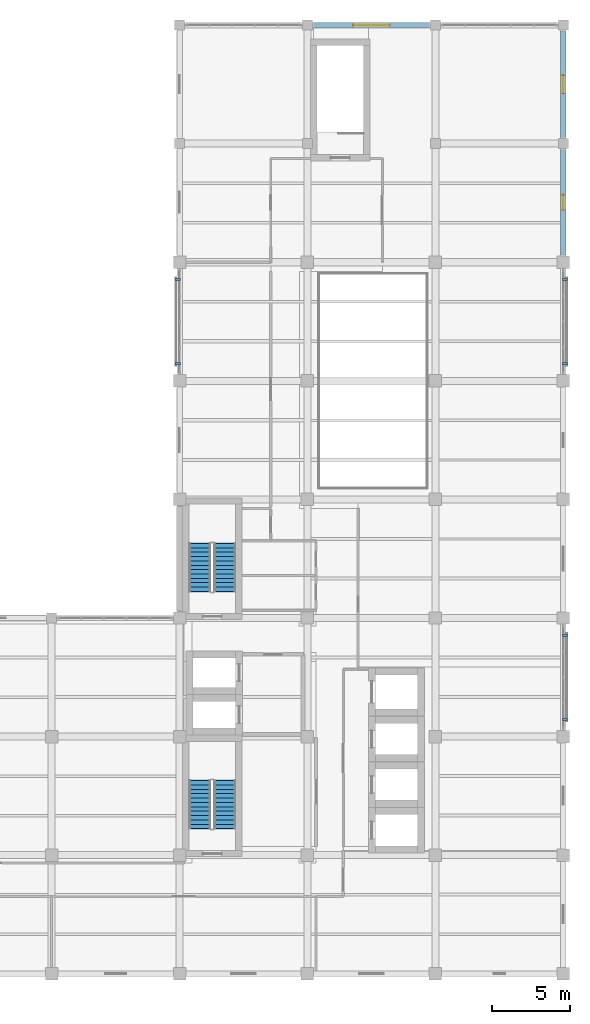
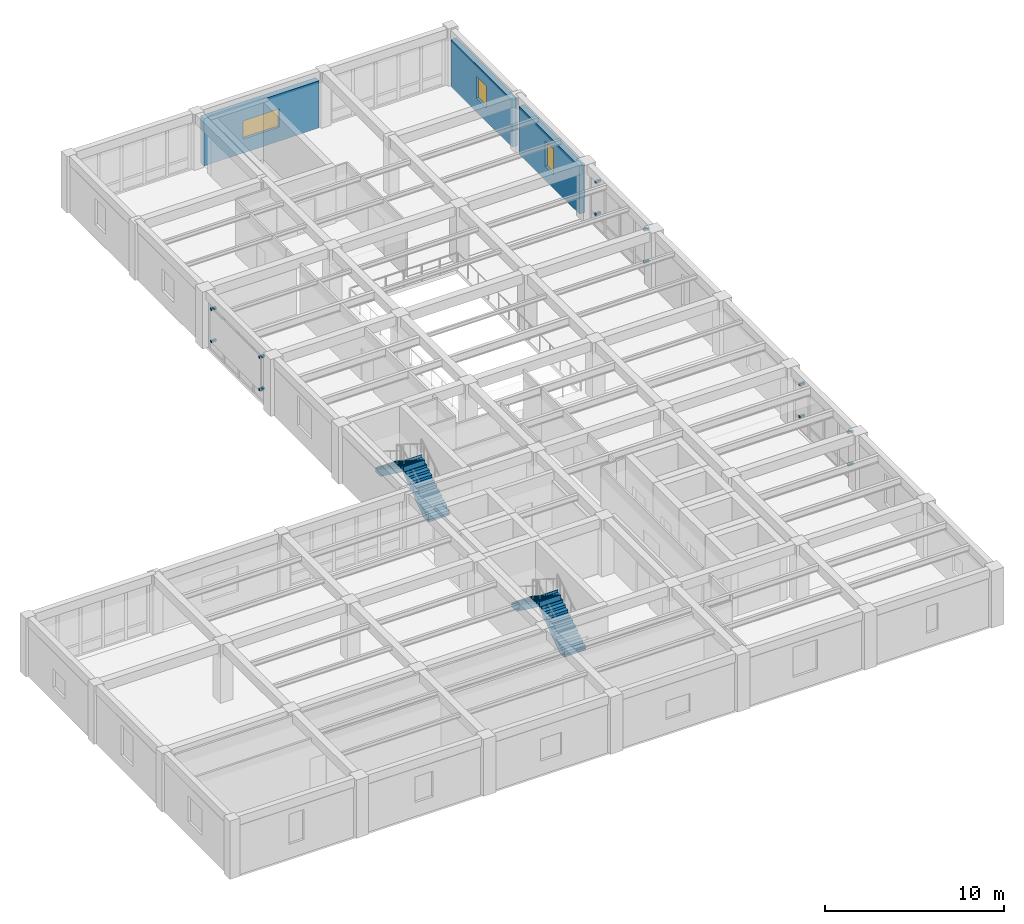
# One storey, part 10 of 15: 12 discrete accessories, 4 stair flights, 3 walls, 3 windows, 3 openings, 2 elements without a shape of their own.
"""IFC4 building model written with IfcOpenShell, lengths in metres."""

from ifc_helpers import new_model, si_unit, direction, frame, frame_2d, origin, origin_2d, place, context, subcontext, project, spatial, polyline, rectangle, outline, extrude, material, layer, layer_set, type_object, element, fill, aggregate, save


model = new_model("IFC4")

# Units and contexts
model_context = context("Model", 3, precision=1e-05, world=origin(), true_north=direction((0.0, 1.0)))
body_context = subcontext(model_context, "Body", "Model", "MODEL_VIEW")
ifc_project = project(units=[si_unit("LENGTHUNIT", "METRE"), si_unit("AREAUNIT", "SQUARE_METRE"), si_unit("VOLUMEUNIT", "CUBIC_METRE"), si_unit("PLANEANGLEUNIT", "RADIAN"), si_unit("MASSUNIT", "GRAM", prefix="KILO")], contexts=[model_context])

# Site, building, storey
site_placement = place(None, origin())
site = spatial("IfcSite", under=ifc_project, at=site_placement, CompositionType="ELEMENT")
building_placement = place(site_placement, origin())
building = spatial("IfcBuilding", under=site, at=building_placement, Name="Qandaris Square Conservatory and Botanical Centre", CompositionType="ELEMENT")
storey_placement = place(building_placement, frame((0.0, 0.0, 32.39990234375)))
storey = spatial("IfcBuildingStorey", under=building, at=storey_placement, Name="L07", CompositionType="ELEMENT", Elevation=32.39990234375)

# Wall, opening, window
ifc_material_1 = material(Name="Precast concrete C40/50", Category="concrete")
ifc_layer = layer(ifc_material_1, 0.360107421875)
ifc_layer_set = layer_set([ifc_layer], Name="Precast concrete C40/50")
wall_type = type_object("IfcWallType", Name="Architectural Precast Cladding Wall 360mm", PredefinedType="SOLIDWALL", material=ifc_layer_set)
wall_1_placement = place(storey_placement, frame((163.800048828125, 62.659912109375, 0.0), z_axis=(0.0, 0.0, 1.0), x_axis=(0.0, 1.0, 0.0)))
wall_1 = element("IfcWall", 1, at=wall_1_placement, inside=storey, type_object=wall_type, Name="Exterior Wall EW-TWR-L07-2-7", PredefinedType="SOLIDWALL", context=body_context, shape_type="SweptSolid", body=[
    extrude(rectangle(XDim=6.755126953125, YDim=0.360107421875, at=frame_2d((3.37744140625, 0.0))), origin(), (0.0, 0.0, 1.0), 3.275146484375),
])
opening_1_placement = place(wall_1_placement, frame((2.902587890625, 0.0, 0.949951171875)))
opening_1 = element("IfcOpeningElement", 2, at=opening_1_placement, cuts=wall_1, Name="Opening WN-15", PredefinedType="OPENING", context=body_context, shape_type="SweptSolid", body=[
    extrude(rectangle(XDim=0.949951171875, YDim=1.75, at=frame_2d((0.47509765625, 0.875))), frame((0.0, 0.19189453125, 0.0), z_axis=(0.0, -1.0, 0.0), x_axis=(1.0, 0.0, 0.0)), (0.0, 0.0, 1.0), 0.384033203125),
])
ifc_material_2 = material(Name="Tempered Low-E Glass", Category="glass")
window_type_1 = type_object("IfcWindowType", Name="Solar Control Window 950x1750", PartitioningType="SINGLE_PANEL", PredefinedType="WINDOW", material=ifc_material_2)
window_1_placement = place(opening_1_placement, origin())
window_1 = element("IfcWindow", 3, at=window_1_placement, inside=storey, type_object=window_type_1, Name="Window EW-TWR-L07-2-7", OverallHeight=1.75, OverallWidth=0.949951171875, PartitioningType="SINGLE_PANEL", PredefinedType="WINDOW", context=body_context, shape_type="SweptSolid", body=[
    extrude(rectangle(XDim=0.949951171875, YDim=1.75, at=frame_2d((0.47509765625, 0.875))), frame((0.0, 0.030029296875, 0.0), z_axis=(0.0, -1.0, 0.0), x_axis=(1.0, 0.0, 0.0)), (0.0, 0.0, 1.0), 0.06005859375),
])
fill(opening_1, window_1)

wall_2_placement = place(storey_placement, frame((163.800048828125, 70.18505859375, 0.0), z_axis=(0.0, 0.0, 1.0), x_axis=(0.0, 1.0, 0.0)))
wall_2 = element("IfcWall", 4, at=wall_2_placement, inside=storey, type_object=wall_type, Name="Exterior Wall EW-TWR-L07-2-8", PredefinedType="SOLIDWALL", context=body_context, shape_type="SweptSolid", body=[
    extrude(rectangle(XDim=6.829833984375, YDim=0.360107421875, at=frame_2d((3.4150390625, 0.0))), origin(), (0.0, 0.0, 1.0), 3.22509765625),
])
opening_2_placement = place(wall_2_placement, frame((2.840087890625, 0.0, 0.949951171875)))
opening_2 = element("IfcOpeningElement", 5, at=opening_2_placement, cuts=wall_2, Name="Opening WN-18", PredefinedType="OPENING", context=body_context, shape_type="SweptSolid", body=[
    extrude(rectangle(XDim=1.14990234375, YDim=1.5, at=frame_2d((0.574951171875, 0.75))), frame((0.0, 0.19189453125, 0.0), z_axis=(0.0, -1.0, 0.0), x_axis=(1.0, 0.0, 0.0)), (0.0, 0.0, 1.0), 0.384033203125),
])
window_type_2 = type_object("IfcWindowType", Name="Solar Control Window 1150x1500", PartitioningType="SINGLE_PANEL", PredefinedType="WINDOW", material=ifc_material_2)
window_2_placement = place(opening_2_placement, origin())
window_2 = element("IfcWindow", 6, at=window_2_placement, inside=storey, type_object=window_type_2, Name="Window EW-TWR-L07-2-8", OverallHeight=1.5, OverallWidth=1.14990234375, PartitioningType="SINGLE_PANEL", PredefinedType="WINDOW", context=body_context, shape_type="SweptSolid", body=[
    extrude(rectangle(XDim=1.14990234375, YDim=1.5, at=frame_2d((0.574951171875, 0.75))), frame((0.0, 0.030029296875, 0.0), z_axis=(0.0, -1.0, 0.0), x_axis=(1.0, 0.0, 0.0)), (0.0, 0.0, 1.0), 0.06005859375),
])
fill(opening_2, window_2)

wall_3_placement = place(storey_placement, frame((155.215087890625, 77.39990234375, 0.0), z_axis=(0.0, 0.0, 1.0), x_axis=(-1.0, 0.0, 0.0)))
wall_3 = element("IfcWall", 7, at=wall_3_placement, inside=storey, type_object=wall_type, Name="Exterior Wall EW-TWR-L07-3-2", PredefinedType="SOLIDWALL", context=body_context, shape_type="SweptSolid", body=[
    extrude(rectangle(XDim=7.43017578125, YDim=0.360107421875, at=frame_2d((3.715087890625, 0.0))), origin(), (0.0, 0.0, 1.0), 3.22509765625),
])
opening_3_placement = place(wall_3_placement, frame((2.5400390625, 0.0, 0.949951171875)))
opening_3 = element("IfcOpeningElement", 8, at=opening_3_placement, cuts=wall_3, Name="Opening WN-37", PredefinedType="OPENING", context=body_context, shape_type="SweptSolid", body=[
    extrude(rectangle(XDim=2.35009765625, YDim=1.25, at=frame_2d((1.175048828125, 0.625))), frame((0.0, 0.19189453125, 0.0), z_axis=(0.0, -1.0, 0.0), x_axis=(1.0, 0.0, 0.0)), (0.0, 0.0, 1.0), 0.384033203125),
])
window_type_3 = type_object("IfcWindowType", Name="Solar Control Window 2350x1250", PartitioningType="DOUBLE_PANEL_VERTICAL", PredefinedType="WINDOW", material=ifc_material_2)
window_3_placement = place(opening_3_placement, origin())
window_3 = element("IfcWindow", 9, at=window_3_placement, inside=storey, type_object=window_type_3, Name="Window EW-TWR-L07-3-2", OverallHeight=1.25, OverallWidth=2.35009765625, PartitioningType="DOUBLE_PANEL_VERTICAL", PredefinedType="WINDOW", context=body_context, shape_type="SweptSolid", body=[
    extrude(rectangle(XDim=2.35009765625, YDim=1.25, at=frame_2d((1.175048828125, 0.625))), frame((0.0, 0.030029296875, 0.0), z_axis=(0.0, -1.0, 0.0), x_axis=(1.0, 0.0, 0.0)), (0.0, 0.0, 1.0), 0.06005859375),
])
fill(opening_3, window_3)

# Stair, stair flights
ifc_material_3 = material(Name="Concrete C40/50", Category="concrete")
stair_type = type_object("IfcStairType", Name="Core Escape Scissor Stair", PredefinedType="HALF_TURN_STAIR", material=ifc_material_3)
stair_1_placement = place(storey_placement, origin())
stair_1 = element("IfcStair", 10, at=stair_1_placement, inside=storey, type_object=stair_type, Name="L07 Tower South Exit Stair ST-1", PredefinedType="HALF_TURN_STAIR")
stair_flight_type = type_object("IfcStairFlightType", Name="RC Precast Stair Flight 1400mm", PredefinedType="STRAIGHT", material=ifc_material_1)
stair_flight_1_placement = place(storey_placement, frame((142.10009765625, 25.89990234375, 0.0), z_axis=(0.0, 0.0, 1.0), x_axis=(0.0, 1.0, 0.0)))
stair_flight_1 = element("IfcStairFlight", 11, at=stair_flight_1_placement, type_object=stair_flight_type, Name="ST-1 flight 1", NumberOfRisers=12, NumberOfTreads=11, PredefinedType="STRAIGHT", RiserHeight=0.175, TreadLength=0.28, context=body_context, shape_type="SweptSolid", body=[
    extrude(outline(polyline([(-0.034912109375, 0.0), (0.0, 0.0), (0.0, 0.175048828125), (0.280029296875, 0.175048828125), (0.280029296875, 0.35009765625), (0.56005859375, 0.35009765625), (0.56005859375, 0.52490234375), (0.840087890625, 0.52490234375), (0.840087890625, 0.699951171875), (1.1201171875, 0.699951171875), (1.1201171875, 0.875), (1.39990234375, 0.875), (1.39990234375, 1.050048828125), (1.679931640625, 1.050048828125), (1.679931640625, 1.22509765625), (1.9599609375, 1.22509765625), (1.9599609375, 1.39990234375), (2.239990234375, 1.39990234375), (2.239990234375, 1.574951171875), (2.52001953125, 1.574951171875), (2.52001953125, 1.75), (2.800048828125, 1.75), (2.800048828125, 1.925048828125), (3.080078125, 1.925048828125), (3.080078125, 2.10009765625), (3.114990234375, 2.10009765625), (3.114990234375, 1.748291015625), (3.080078125, 1.748291015625), (0.5068359375, -0.139892578125), (-0.034912109375, -0.139892578125), (-0.034912109375, 0.0)])), frame((0.0, 0.699951171875, 0.0), z_axis=(0.0, -1.0, 0.0), x_axis=(1.0, 0.0, 0.0)), (0.0, 0.0, 1.0), 1.39990234375),
])
stair_flight_2_placement = place(storey_placement, frame((140.5, 28.97998046875, 2.10009765625), z_axis=(0.0, 0.0, 1.0), x_axis=(0.0, -1.0, 0.0)))
stair_flight_2 = element("IfcStairFlight", 12, at=stair_flight_2_placement, type_object=stair_flight_type, Name="ST-1 flight 2", NumberOfRisers=12, NumberOfTreads=11, PredefinedType="STRAIGHT", RiserHeight=0.175, TreadLength=0.28, context=body_context, shape_type="SweptSolid", body=[
    extrude(outline(polyline([(-0.034912109375, 0.0), (0.0, 0.0), (0.0, 0.175048828125), (0.280029296875, 0.175048828125), (0.280029296875, 0.35009765625), (0.56005859375, 0.35009765625), (0.56005859375, 0.52490234375), (0.840087890625, 0.52490234375), (0.840087890625, 0.699951171875), (1.1201171875, 0.699951171875), (1.1201171875, 0.875), (1.39990234375, 0.875), (1.39990234375, 1.050048828125), (1.679931640625, 1.050048828125), (1.679931640625, 1.22509765625), (1.9599609375, 1.22509765625), (1.9599609375, 1.39990234375), (2.239990234375, 1.39990234375), (2.239990234375, 1.574951171875), (2.52001953125, 1.574951171875), (2.52001953125, 1.75), (2.800048828125, 1.75), (2.800048828125, 1.925048828125), (3.080078125, 1.925048828125), (3.080078125, 2.10009765625), (3.114990234375, 2.10009765625), (3.114990234375, 1.748291015625), (3.080078125, 1.748291015625), (0.5068359375, -0.139892578125), (-0.034912109375, -0.139892578125), (-0.034912109375, 0.0)])), frame((0.0, 0.699951171875, 0.0), z_axis=(0.0, -1.0, 0.0), x_axis=(1.0, 0.0, 0.0)), (0.0, 0.0, 1.0), 1.39990234375),
])
aggregate(stair_1, [stair_flight_1, stair_flight_2])

stair_2_placement = place(storey_placement, origin())
stair_2 = element("IfcStair", 13, at=stair_2_placement, inside=storey, type_object=stair_type, Name="L07 Tower North Exit Stair ST-2", PredefinedType="HALF_TURN_STAIR")
stair_flight_3_placement = place(storey_placement, frame((142.10009765625, 41.10009765625, 0.0), z_axis=(0.0, 0.0, 1.0), x_axis=(0.0, 1.0, 0.0)))
stair_flight_3 = element("IfcStairFlight", 14, at=stair_flight_3_placement, type_object=stair_flight_type, Name="ST-2 flight 1", NumberOfRisers=12, NumberOfTreads=11, PredefinedType="STRAIGHT", RiserHeight=0.175, TreadLength=0.28, context=body_context, shape_type="SweptSolid", body=[
    extrude(outline(polyline([(-0.034912109375, 0.0), (0.0, 0.0), (0.0, 0.175048828125), (0.280029296875, 0.175048828125), (0.280029296875, 0.35009765625), (0.56005859375, 0.35009765625), (0.56005859375, 0.52490234375), (0.840087890625, 0.52490234375), (0.840087890625, 0.699951171875), (1.1201171875, 0.699951171875), (1.1201171875, 0.875), (1.39990234375, 0.875), (1.39990234375, 1.050048828125), (1.679931640625, 1.050048828125), (1.679931640625, 1.22509765625), (1.9599609375, 1.22509765625), (1.9599609375, 1.39990234375), (2.239990234375, 1.39990234375), (2.239990234375, 1.574951171875), (2.52001953125, 1.574951171875), (2.52001953125, 1.75), (2.800048828125, 1.75), (2.800048828125, 1.925048828125), (3.080078125, 1.925048828125), (3.080078125, 2.10009765625), (3.114990234375, 2.10009765625), (3.114990234375, 1.748291015625), (3.080078125, 1.748291015625), (0.5068359375, -0.139892578125), (-0.034912109375, -0.139892578125), (-0.034912109375, 0.0)])), frame((0.0, 0.699951171875, 0.0), z_axis=(0.0, -1.0, 0.0), x_axis=(1.0, 0.0, 0.0)), (0.0, 0.0, 1.0), 1.39990234375),
])
stair_flight_4_placement = place(storey_placement, frame((140.5, 44.179931640625, 2.10009765625), z_axis=(0.0, 0.0, 1.0), x_axis=(0.0, -1.0, 0.0)))
stair_flight_4 = element("IfcStairFlight", 15, at=stair_flight_4_placement, type_object=stair_flight_type, Name="ST-2 flight 2", NumberOfRisers=12, NumberOfTreads=11, PredefinedType="STRAIGHT", RiserHeight=0.175, TreadLength=0.28, context=body_context, shape_type="SweptSolid", body=[
    extrude(outline(polyline([(-0.034912109375, 0.0), (0.0, 0.0), (0.0, 0.175048828125), (0.280029296875, 0.175048828125), (0.280029296875, 0.35009765625), (0.56005859375, 0.35009765625), (0.56005859375, 0.52490234375), (0.840087890625, 0.52490234375), (0.840087890625, 0.699951171875), (1.1201171875, 0.699951171875), (1.1201171875, 0.875), (1.39990234375, 0.875), (1.39990234375, 1.050048828125), (1.679931640625, 1.050048828125), (1.679931640625, 1.22509765625), (1.9599609375, 1.22509765625), (1.9599609375, 1.39990234375), (2.239990234375, 1.39990234375), (2.239990234375, 1.574951171875), (2.52001953125, 1.574951171875), (2.52001953125, 1.75), (2.800048828125, 1.75), (2.800048828125, 1.925048828125), (3.080078125, 1.925048828125), (3.080078125, 2.10009765625), (3.114990234375, 2.10009765625), (3.114990234375, 1.748291015625), (3.080078125, 1.748291015625), (0.5068359375, -0.139892578125), (-0.034912109375, -0.139892578125), (-0.034912109375, 0.0)])), frame((0.0, 0.699951171875, 0.0), z_axis=(0.0, -1.0, 0.0), x_axis=(1.0, 0.0, 0.0)), (0.0, 0.0, 1.0), 1.39990234375),
])
aggregate(stair_2, [stair_flight_3, stair_flight_4])

# Discrete accessories
ifc_material_4 = material(Name="Steel S355", Category="steel")
discrete_accessory_type = type_object("IfcDiscreteAccessoryType", Name="Mashrabiya Support Outrigger Bracket", PredefinedType="BRACKET", material=ifc_material_4)
for number, where, z_axis, x_axis, name in (
    (16, (163.909912109375, 32.89990234375, 0.83984375), (0.0, 0.0, 1.0), (0.0, 1.0, 0.0), "Mashrabiya Bracket CW-TWR-L07-2-3-BRK-6-333"),
    (17, (163.909912109375, 32.89990234375, 3.0400390625), (0.0, 0.0, 1.0), (0.0, 1.0, 0.0), "Mashrabiya Bracket CW-TWR-L07-2-3-BRK-6-355"),
    (18, (163.909912109375, 38.300048828125, 0.83984375), (0.0, 0.0, 1.0), (0.0, 1.0, 0.0), "Mashrabiya Bracket CW-TWR-L07-2-3-BRK-60-333"),
    (19, (163.909912109375, 38.300048828125, 3.0400390625), (0.0, 0.0, 1.0), (0.0, 1.0, 0.0), "Mashrabiya Bracket CW-TWR-L07-2-3-BRK-60-355"),
    (20, (163.909912109375, 55.699951171875, 0.83984375), (0.0, 0.0, 1.0), (0.0, 1.0, 0.0), "Mashrabiya Bracket CW-TWR-L07-2-6-BRK-6-333"),
    (21, (163.909912109375, 55.699951171875, 3.0400390625), (0.0, 0.0, 1.0), (0.0, 1.0, 0.0), "Mashrabiya Bracket CW-TWR-L07-2-6-BRK-6-355"),
    (22, (163.909912109375, 61.10009765625, 0.83984375), (0.0, 0.0, 1.0), (0.0, 1.0, 0.0), "Mashrabiya Bracket CW-TWR-L07-2-6-BRK-60-333"),
    (23, (163.909912109375, 61.10009765625, 3.0400390625), (0.0, 0.0, 1.0), (0.0, 1.0, 0.0), "Mashrabiya Bracket CW-TWR-L07-2-6-BRK-60-355"),
    (24, (139.090087890625, 61.10009765625, 0.83984375), (0.0, 0.0, 1.0), (0.0, -1.0, 0.0), "Mashrabiya Bracket CW-TWR-L07-4-3-BRK-6-333"),
    (25, (139.090087890625, 61.10009765625, 3.0400390625), (0.0, 0.0, 1.0), (0.0, -1.0, 0.0), "Mashrabiya Bracket CW-TWR-L07-4-3-BRK-6-355"),
    (26, (139.090087890625, 55.699951171875, 0.83984375), (0.0, 0.0, 1.0), (0.0, -1.0, 0.0), "Mashrabiya Bracket CW-TWR-L07-4-3-BRK-60-333"),
    (27, (139.090087890625, 55.699951171875, 3.0400390625), (0.0, 0.0, 1.0), (0.0, -1.0, 0.0), "Mashrabiya Bracket CW-TWR-L07-4-3-BRK-60-355"),
):
    element("IfcDiscreteAccessory", number, at=place(storey_placement, frame(where, z_axis=z_axis, x_axis=x_axis)), inside=storey, type_object=discrete_accessory_type, Name=name, PredefinedType="BRACKET", context=body_context, shape_type="SweptSolid", body=[
        extrude(rectangle(XDim=0.139892578125, YDim=0.340087890625, at=origin_2d()), origin(), (0.0, 0.0, 1.0), 0.139892578125),
    ])

save(model, "model.ifc")
